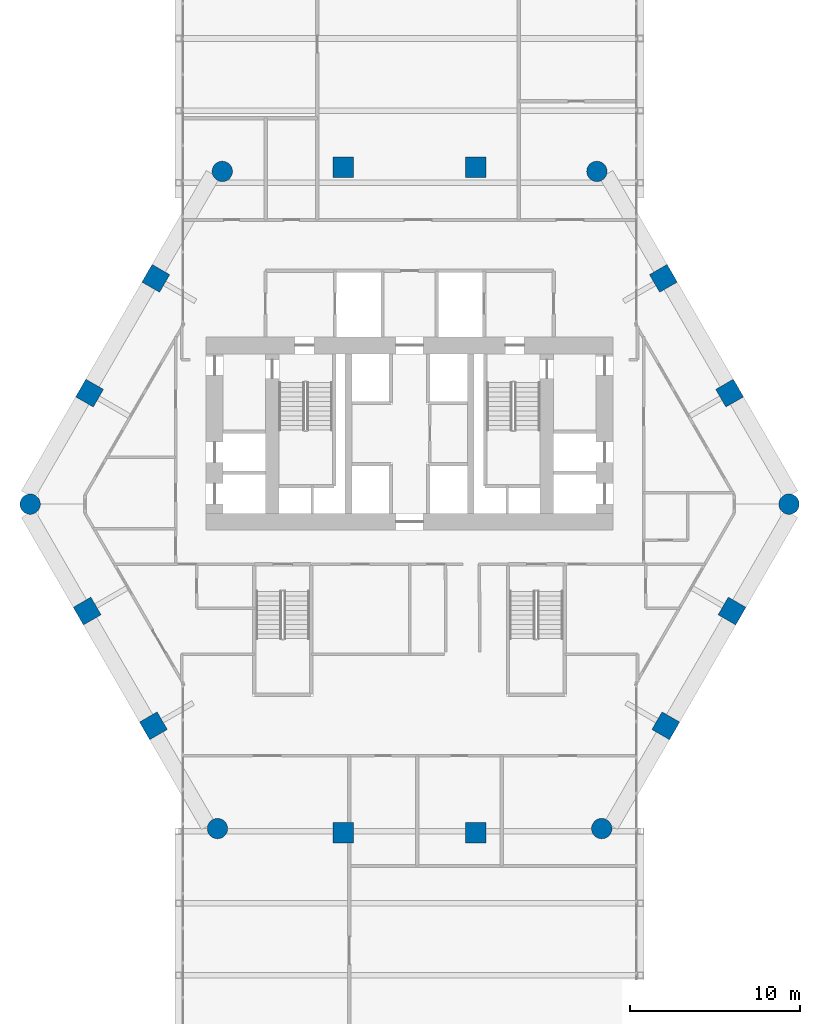
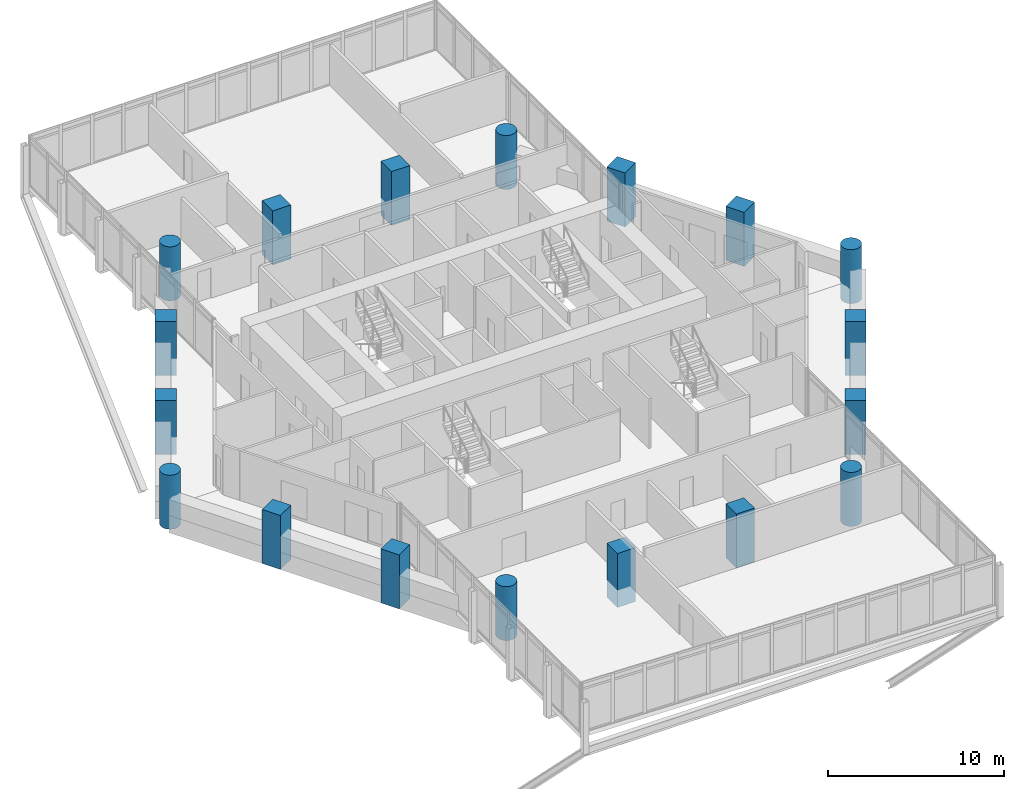
# One storey, part 1 of 37: 18 columns.
"""IFC4 building model written with IfcOpenShell, lengths in metres."""

import ifcopenshell
import ifcopenshell.guid

model = None  # the IFC model being written
_history = None  # IfcOwnerHistory: only IFC2X3 demands one
_inside = {}  # id of a spatial element -> (the spatial element, [elements in it])
_under = {}  # id of a project, library or spatial element -> (it, [spatial elements below it])
_declared = {}  # id of a project -> (the project, [libraries it declares])
_typed = {}  # id of a type object -> (the type object, [elements of that type])
_made_of = {}  # id of a material, layer set ... -> (it, [elements and type objects made of it])


def new_model(schema):
    """Start an empty IFC model of exactly this schema.

    Asked for "IFC4X3", IfcOpenShell would pick the latest addendum, in which some entities
    have other attributes; the version numbers below select the first issue.
    IFC2X3 requires an IfcOwnerHistory on every rooted entity: one is made here for all.
    """
    global model, _history
    if schema == "IFC4X3":
        model = ifcopenshell.file(schema_version=(4, 3, 0, 0))
    else:
        model = ifcopenshell.file(schema=schema)
    _inside.clear()
    _under.clear()
    _declared.clear()
    _typed.clear()
    _made_of.clear()
    _history = None
    if model.schema == "IFC2X3":
        org = make("IfcOrganization", Name="unknown")
        user = make(
            "IfcPersonAndOrganization",
            ThePerson=make("IfcPerson", FamilyName="unknown"),
            TheOrganization=org,
        )
        app = make(
            "IfcApplication",
            ApplicationDeveloper=org,
            Version="unknown",
            ApplicationFullName="unknown",
            ApplicationIdentifier="unknown",
        )
        _history = make(
            "IfcOwnerHistory",
            OwningUser=user,
            OwningApplication=app,
            ChangeAction="ADDED",
            CreationDate=0,
        )
    return model


def make(cls, **values):
    """One entity of the class cls with the attributes given. An attribute that is None is left unset."""
    return model.create_entity(
        cls, **{name: value for name, value in values.items() if value is not None}
    )


def rooted(cls, **values):
    """An entity with a GlobalId (a new one), such as an element, a storey or a relation."""
    return make(cls, GlobalId=ifcopenshell.guid.new(), OwnerHistory=_history, **values)


def si_unit(unit_type, name, prefix=None):
    """IfcSIUnit, for example si_unit("LENGTHUNIT", "METRE", prefix="MILLI")."""
    return make("IfcSIUnit", UnitType=unit_type, Prefix=prefix, Name=name)


def assignment(units):
    """IfcUnitAssignment: the units of a project."""
    return None if units is None else make("IfcUnitAssignment", Units=units)


def point(xyz):
    """IfcCartesianPoint."""
    return None if xyz is None else make("IfcCartesianPoint", Coordinates=xyz)


def direction(xyz):
    """IfcDirection."""
    return None if xyz is None else make("IfcDirection", DirectionRatios=xyz)


def frame(location, z_axis=None, x_axis=None):
    """IfcAxis2Placement3D, a coordinate frame: its origin and axes. An axis left out is left unset."""
    return make(
        "IfcAxis2Placement3D",
        Location=point(location),
        Axis=direction(z_axis),
        RefDirection=direction(x_axis),
    )


def frame_2d(location, x_axis=None):
    """IfcAxis2Placement2D, a coordinate frame in the plane: its origin and x axis."""
    return make(
        "IfcAxis2Placement2D", Location=point(location), RefDirection=direction(x_axis)
    )


def origin():
    """The frame at (0, 0, 0) with its axes left unset."""
    return frame((0.0, 0.0, 0.0))


def origin_2d():
    """The frame at (0, 0) in the plane with its x axis left unset."""
    return frame_2d((0.0, 0.0))


def place(relative_to, where):
    """IfcLocalPlacement: puts the frame where relative to a parent placement (None: the world)."""
    return make(
        "IfcLocalPlacement", PlacementRelTo=relative_to, RelativePlacement=where
    )


def context(
    kind, dimensions, precision=None, world=None, true_north=None, identifier=None
):
    """IfcGeometricRepresentationContext, for example the 3D "Model" context."""
    return make(
        "IfcGeometricRepresentationContext",
        ContextIdentifier=identifier,
        ContextType=kind,
        CoordinateSpaceDimension=dimensions,
        Precision=precision,
        WorldCoordinateSystem=world,
        TrueNorth=true_north,
    )


def subcontext(parent, identifier, kind, view, scale=None):
    """IfcGeometricRepresentationSubContext, for example "Body" below "Model"."""
    return make(
        "IfcGeometricRepresentationSubContext",
        ContextIdentifier=identifier,
        ContextType=kind,
        ParentContext=parent,
        TargetScale=scale,
        TargetView=view,
    )


def project(units=None, contexts=None):
    """IfcProject with its units and contexts."""
    return rooted(
        "IfcProject",
        Name="project",
        RepresentationContexts=contexts,
        UnitsInContext=assignment(units),
    )


def spatial(cls, under=None, at=None, **own):
    """A site, building, storey or space (cls), placed at a placement, below another one or the project."""
    s = rooted(cls, ObjectPlacement=at, **own)
    if under is not None:
        _under.setdefault(under.id(), (under, []))[1].append(s)
    return s


def profile(cls, at=None, kind="AREA", **sizes):
    """A parametric profile (cls). Its sizes go by their IFC names, for example OverallWidth=200.0."""
    return make(cls, ProfileType=kind, Position=at, **sizes)


def rectangle(**sizes):
    """IfcRectangleProfileDef."""
    return profile("IfcRectangleProfileDef", **sizes)


def circle(**sizes):
    """IfcCircleProfileDef."""
    return profile("IfcCircleProfileDef", **sizes)


def extrude(swept, where, along, depth):
    """IfcExtrudedAreaSolid: the profile swept, set in the frame where, extruded along a direction by depth."""
    return make(
        "IfcExtrudedAreaSolid",
        SweptArea=swept,
        Position=where,
        ExtrudedDirection=direction(along),
        Depth=depth,
    )


def shape(context_of_items, identifier, shape_type, items):
    """IfcShapeRepresentation: the items that make up one representation, for example the "Body"."""
    return make(
        "IfcShapeRepresentation",
        ContextOfItems=context_of_items,
        RepresentationIdentifier=identifier,
        RepresentationType=shape_type,
        Items=items,
    )


def material(Name=None, Category=None):
    """IfcMaterial."""
    return make("IfcMaterial", Name=Name, Category=Category)


def material_profile(
    of_material, cross_section, Name=None, Category=None, Priority=None
):
    """IfcMaterialProfile: a cross section and its material."""
    return make(
        "IfcMaterialProfile",
        Name=Name,
        Material=of_material,
        Profile=cross_section,
        Priority=Priority,
        Category=Category,
    )


def profile_set(profiles, Name=None, composite=None):
    """IfcMaterialProfileSet."""
    return make(
        "IfcMaterialProfileSet",
        Name=Name,
        MaterialProfiles=profiles,
        CompositeProfile=composite,
    )


def made_of(thing, what):
    """Note that an element or type object is made of a material, layer set ...; save() writes the relation."""
    if what is not None:
        _made_of.setdefault(what.id(), (what, []))[1].append(thing)
    return thing


def type_object(cls, material=None, **own):
    """A type object (cls), such as IfcWallType, which elements share."""
    return made_of(rooted(cls, **own), material)


def element(
    cls,
    number,
    at=None,
    inside=None,
    cuts=None,
    type_object=None,
    material=None,
    context=None,
    identifier="Body",
    shape_type=None,
    held_by="IfcProductDefinitionShape",
    body=None,
    shapes=None,
    **own,
):
    """One element of the class cls, such as IfcWall. Its Tag is "e" and its number.

    at: its placement. inside: the storey or other place that contains it. cuts: it is an
    opening in that element (IfcRelVoidsElement). A single representation is given by context,
    identifier, shape_type and body (its items); several are given by shapes. held_by: the class
    of the entity that holds the representations. save() writes the other relations.
    """
    e = rooted(cls, Tag="e%d" % number, ObjectPlacement=at, **own)
    if body is not None:
        shapes = [shape(context, identifier, shape_type, body)]
    if shapes is not None:
        e.Representation = make(held_by, Representations=shapes)
    if inside is not None:
        _inside.setdefault(inside.id(), (inside, []))[1].append(e)
    if cuts is not None:
        rooted(
            "IfcRelVoidsElement", RelatingBuildingElement=cuts, RelatedOpeningElement=e
        )
    if type_object is not None:
        _typed.setdefault(type_object.id(), (type_object, []))[1].append(e)
    return made_of(e, material)


def aggregate(whole, parts):
    """IfcRelAggregates: a whole, such as a stair, and the parts it consists of."""
    return rooted("IfcRelAggregates", RelatingObject=whole, RelatedObjects=parts)


def save(model, path):
    """Write the relations noted so far, then the file.

    IfcRelAggregates (storeys below a building ...), IfcRelContainedInSpatialStructure (elements
    in a storey), IfcRelDefinesByType, IfcRelAssociatesMaterial and IfcRelDeclares: one each for
    every whole, place, type object, material and project.
    """
    for whole, parts in _under.values():
        aggregate(whole, parts)
    for where, things in _inside.values():
        rooted(
            "IfcRelContainedInSpatialStructure",
            RelatedElements=things,
            RelatingStructure=where,
        )
    for kind, things in _typed.values():
        rooted("IfcRelDefinesByType", RelatedObjects=things, RelatingType=kind)
    for what, things in _made_of.values():
        rooted("IfcRelAssociatesMaterial", RelatedObjects=things, RelatingMaterial=what)
    for by, libraries in _declared.values():
        rooted("IfcRelDeclares", RelatingContext=by, RelatedDefinitions=libraries)
    model.write(path)


model = new_model("IFC4")

# Units and contexts
model_context = context("Model", 3, precision=1e-05, world=origin(), true_north=direction((0.0, 1.0)))
body_context = subcontext(model_context, "Body", "Model", "MODEL_VIEW")
ifc_project = project(units=[si_unit("LENGTHUNIT", "METRE"), si_unit("AREAUNIT", "SQUARE_METRE"), si_unit("VOLUMEUNIT", "CUBIC_METRE"), si_unit("PLANEANGLEUNIT", "RADIAN"), si_unit("MASSUNIT", "GRAM", prefix="KILO")], contexts=[model_context])

# Site, building, storey
site_placement = place(None, origin())
site = spatial("IfcSite", under=ifc_project, at=site_placement, CompositionType="ELEMENT")
building_placement = place(site_placement, origin())
building = spatial("IfcBuilding", under=site, at=building_placement, Name="Ostrander Bayou Hotel Tower", CompositionType="ELEMENT")
storey_placement = place(building_placement, frame((0.0, 0.0, 93.0)))
storey = spatial("IfcBuildingStorey", under=building, at=storey_placement, Name="L23", CompositionType="ELEMENT", Elevation=93.0)

# Columns
ifc_material_1 = material(Name="Concrete f'c 70 MPa", Category="concrete")
ifc_material_profile_1 = material_profile(ifc_material_1, circle(Radius=0.60009765625, at=origin_2d()))
ifc_profile_set_1 = profile_set([ifc_material_profile_1], Name="Concrete f'c 70 MPa")
column_type_1 = type_object("IfcColumnType", Name="C3 round column 1200 mm f'c 70 MPa", PredefinedType="COLUMN", material=ifc_profile_set_1)
for number, where, z_axis, x_axis, name in (
    (1, (-11.045654296875, 19.458740234375, -1.199951171875), (0.0, 0.0, 1.0), (1.0, 0.0, 0.0), "C3 L23 K0"),
    (2, (-22.374755859375, -0.163818359375, -1.199951171875), (0.0, 0.0, 1.0), (1.0, 0.0, 0.0), "C3 L23 K1"),
    (3, (-11.3291015625, -19.295166015625, -1.199951171875), (0.0, 0.0, 1.0), (1.0, 0.0, 0.0), "C3 L23 K2"),
    (4, (11.3291015625, -19.295166015625, -1.199951171875), (0.0, 0.0, 1.0), (1.0, 0.0, 0.0), "C3 L23 K3"),
    (5, (22.374755859375, -0.163818359375, -1.199951171875), (0.0, 0.0, 1.0), (1.0, 0.0, 0.0), "C3 L23 K4"),
    (6, (11.045654296875, 19.458740234375, -1.199951171875), (0.0, 0.0, 1.0), (1.0, 0.0, 0.0), "C3 L23 K5"),
):
    element("IfcColumn", number, at=place(storey_placement, frame(where, z_axis=z_axis, x_axis=x_axis)), inside=storey, type_object=column_type_1, Name=name, PredefinedType="COLUMN", context=body_context, shape_type="SweptSolid", body=[
        extrude(circle(Radius=0.60009765625, at=origin_2d()), origin(), (0.0, 0.0, 1.0), 3.75),
    ])
ifc_material_2 = material(Name="Concrete f'c 70 MPa", Category="concrete")
ifc_material_profile_2 = material_profile(ifc_material_2, rectangle(XDim=1.199951171875, YDim=1.199951171875, at=origin_2d()))
ifc_profile_set_2 = profile_set([ifc_material_profile_2], Name="Concrete f'c 70 MPa")
column_type_2 = type_object("IfcColumnType", Name="C4 square column 1200 x 1200 mm f'c 70 MPa", PredefinedType="COLUMN", material=ifc_profile_set_2)
for number, where, z_axis, x_axis, name in (
    (7, (3.90673828125, 19.699951171875, -1.199951171875), (0.0, 0.0, 1.0), (1.0, 0.0, 0.0), "C4 L23 N1"),
    (8, (-3.90673828125, 19.699951171875, -1.199951171875), (0.0, 0.0, 1.0), (1.0, 0.0, 0.0), "C4 L23 N2"),
    (9, (-14.965576171875, 13.151611328125, -1.199951171875), (0.0, 0.0, 1.0), (0.5, 0.866025403784, 0.0), "C4 L23 NW1"),
    (10, (-18.872314453125, 6.384765625, -1.199951171875), (0.0, 0.0, 1.0), (0.5, 0.866025403784, 0.0), "C4 L23 NW2"),
    (11, (-19.01416015625, -6.466796875, -1.199951171875), (0.0, 0.0, 1.0), (-0.5, 0.866025403784, 0.0), "C4 L23 SW1"),
    (12, (-15.107421875, -13.2333984375, -1.199951171875), (0.0, 0.0, 1.0), (-0.5, 0.866025403784, 0.0), "C4 L23 SW2"),
    (13, (-3.90673828125, -19.536376953125, -1.199951171875), (0.0, 0.0, 1.0), (-1.0, 0.0, 0.0), "C4 L23 S1"),
    (14, (3.90673828125, -19.536376953125, -1.199951171875), (0.0, 0.0, 1.0), (-1.0, 0.0, 0.0), "C4 L23 S2"),
    (15, (15.107421875, -13.2333984375, -1.199951171875), (0.0, 0.0, 1.0), (-0.5, -0.866025403784, 0.0), "C4 L23 SE1"),
    (16, (19.01416015625, -6.466796875, -1.199951171875), (0.0, 0.0, 1.0), (-0.5, -0.866025403784, 0.0), "C4 L23 SE2"),
    (17, (18.872314453125, 6.384765625, -1.199951171875), (0.0, 0.0, 1.0), (0.5, -0.866025403784, 0.0), "C4 L23 NE1"),
    (18, (14.965576171875, 13.151611328125, -1.199951171875), (0.0, 0.0, 1.0), (0.5, -0.866025403784, 0.0), "C4 L23 NE2"),
):
    element("IfcColumn", number, at=place(storey_placement, frame(where, z_axis=z_axis, x_axis=x_axis)), inside=storey, type_object=column_type_2, Name=name, PredefinedType="COLUMN", context=body_context, shape_type="SweptSolid", body=[
        extrude(rectangle(XDim=1.199951171875, YDim=1.199951171875, at=origin_2d()), origin(), (0.0, 0.0, 1.0), 3.75),
    ])

save(model, "model.ifc")
